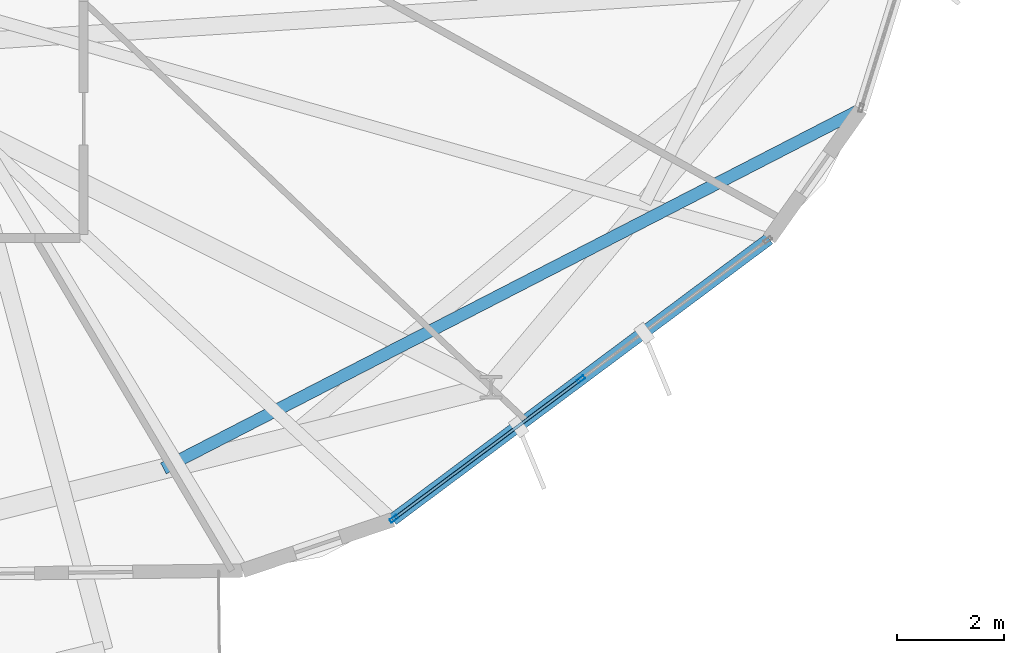
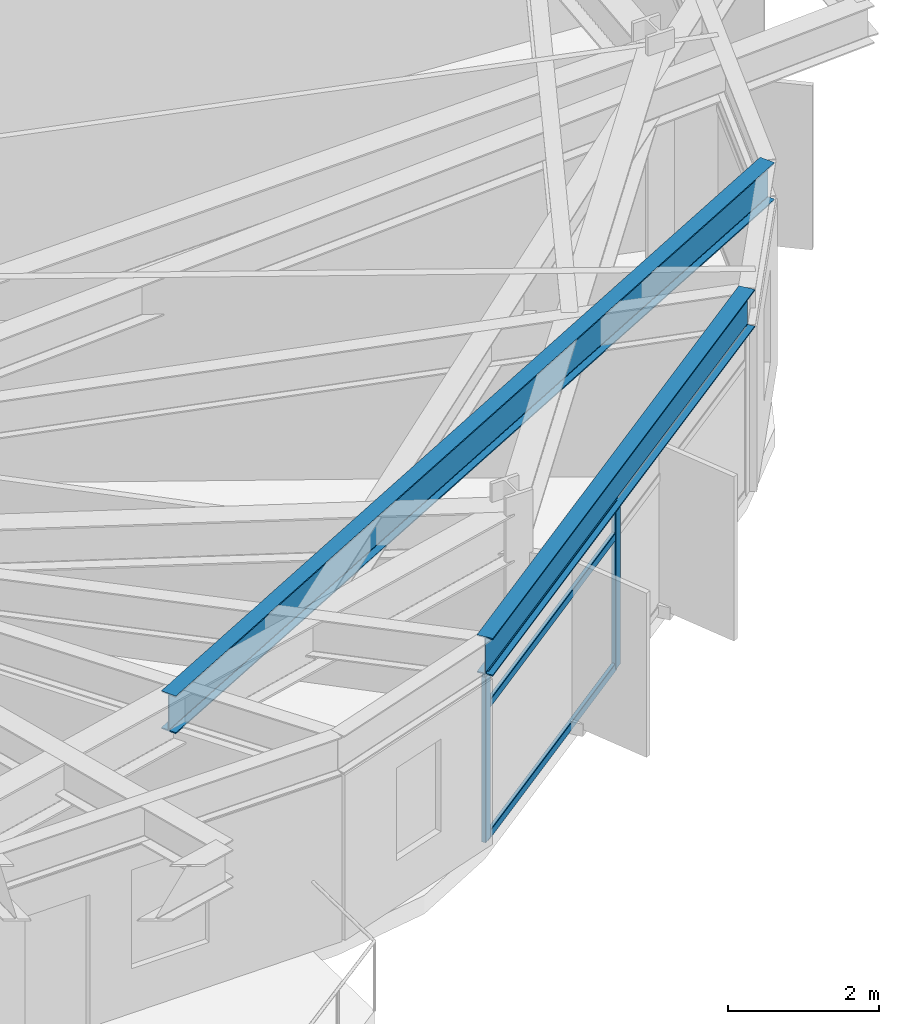
# One storey, part 5 of 27: 5 members, 2 beams, 1 element without a shape of its own.
"""IFC4 building model written with IfcOpenShell, lengths in metres."""

from ifc_helpers import new_model, si_unit, direction, frame, origin, origin_2d, place, context, subcontext, project, spatial, hollow_rectangle, i_section, extrude, material, layer, layer_set, material_profile, profile_set, type_object, element, aggregate, save


model = new_model("IFC4")

# Units and contexts
model_context = context("Model", 3, precision=1e-05, world=origin(), true_north=direction((0.0, 1.0)))
body_context = subcontext(model_context, "Body", "Model", "MODEL_VIEW")
ifc_project = project(units=[si_unit("LENGTHUNIT", "METRE"), si_unit("AREAUNIT", "SQUARE_METRE"), si_unit("VOLUMEUNIT", "CUBIC_METRE"), si_unit("PLANEANGLEUNIT", "RADIAN"), si_unit("MASSUNIT", "GRAM", prefix="KILO")], contexts=[model_context])

# Site, building, storey
site_placement = place(None, origin())
site = spatial("IfcSite", under=ifc_project, at=site_placement, CompositionType="ELEMENT")
building_placement = place(site_placement, origin())
building = spatial("IfcBuilding", under=site, at=building_placement, Name="Soratama Intermodal Tower", CompositionType="ELEMENT")
storey_placement = place(building_placement, frame((0.0, 0.0, 167.800048828125)))
storey = spatial("IfcBuildingStorey", under=building, at=storey_placement, Name="L41", CompositionType="ELEMENT", Elevation=167.800048828125)

# Beams
ifc_material_1 = material(Name="Structural steel ASTM A992 Grade 50", Category="steel")
ifc_material_profile_1 = material_profile(ifc_material_1, i_section(OverallWidth=0.22900390625, OverallDepth=0.612060546875, WebThickness=0.011962890625, FlangeThickness=0.01953125, FilletRadius=0.012939453125, at=origin_2d()), Name="W24X84")
ifc_profile_set_1 = profile_set([ifc_material_profile_1], Name="Structural steel ASTM A992 Grade 50")
beam_type_1 = type_object("IfcBeamType", Name="BM-SPN-W24X84", PredefinedType="SPANDREL", material=ifc_profile_set_1)
beam_1_placement = place(storey_placement, frame((52.43505859375, 7.679931640625, 2.993896484375), z_axis=(0.801623189577, 0.597829626175, 0.0), x_axis=(-0.597829626175, 0.801623189577, 0.0)))
element("IfcBeam", 1, at=beam_1_placement, inside=storey, type_object=beam_type_1, Name="BS-L41-F08", PredefinedType="SPANDREL", context=body_context, shape_type="SweptSolid", body=[
    extrude(i_section(OverallWidth=0.22900390625, OverallDepth=0.612060546875, WebThickness=0.011962890625, FlangeThickness=0.01953125, FilletRadius=0.012939453125, at=origin_2d()), origin(), (0.0, 0.0, 1.0), 8.7919921875),
])
ifc_material_2 = material(Name="Structural steel ASTM A992 Grade 50", Category="steel")
ifc_material_profile_2 = material_profile(ifc_material_2, i_section(OverallWidth=0.22900390625, OverallDepth=0.612060546875, WebThickness=0.011962890625, FlangeThickness=0.01953125, FilletRadius=0.012939453125, at=origin_2d()), Name="W24X84")
ifc_profile_set_2 = profile_set([ifc_material_profile_2], Name="Structural steel ASTM A992 Grade 50")
beam_type_2 = type_object("IfcBeamType", Name="BM-TIE-W24X84", PredefinedType="BEAM", material=ifc_profile_set_2)
beam_2_placement = place(storey_placement, frame((48.14306640625, 8.639892578125, 2.993896484375), z_axis=(0.889147652435, 0.45762042368, 0.0), x_axis=(-0.45762042368, 0.889147652435, 0.0)))
element("IfcBeam", 2, at=beam_2_placement, inside=storey, type_object=beam_type_2, Name="BM-L41-TIE0-09", PredefinedType="BEAM", context=body_context, shape_type="SweptSolid", body=[
    extrude(i_section(OverallWidth=0.22900390625, OverallDepth=0.612060546875, WebThickness=0.011962890625, FlangeThickness=0.01953125, FilletRadius=0.012939453125, at=origin_2d()), origin(), (0.0, 0.0, 1.0), 14.680419921875),
])

# Curtain wall, members
ifc_material_3 = material(Name="Double-glazed aluminium curtain wall", Category="aluminium")
ifc_layer = layer(ifc_material_3, 0.159912109375)
ifc_layer_set = layer_set([ifc_layer], Name="Double-glazed aluminium curtain wall")
curtain_wall_type = type_object("IfcCurtainWallType", Name="CW-SYS-4", PredefinedType="NOTDEFINED", material=ifc_layer_set)
curtain_wall_placement = place(storey_placement, origin())
curtain_wall = element("IfcCurtainWall", 3, at=curtain_wall_placement, inside=storey, type_object=curtain_wall_type, Name="L41 Faceted Curtain Wall F08", PredefinedType="NOTDEFINED")
ifc_material_4 = material(Name="Anodised aluminium AA 6063-T6", Category="aluminium")
ifc_material_profile_3 = material_profile(ifc_material_4, hollow_rectangle(XDim=0.070068359375, YDim=0.159912109375, WallThickness=0.0048828125, InnerFilletRadius=0.0048828125, OuterFilletRadius=0.010009765625, at=origin_2d()), Name="CWM160X70X5")
ifc_profile_set_3 = profile_set([ifc_material_profile_3], Name="Anodised aluminium AA 6063-T6")
member_type_1 = type_object("IfcMemberType", Name="MT-CWM-4", PredefinedType="MULLION", material=ifc_profile_set_3)
member_1_placement = place(storey_placement, frame((52.45947265625, 7.69775390625, 0.0), z_axis=(0.0, 0.0, 1.0), x_axis=(-0.59790688007, 0.801565569848, 0.0)))
member_1 = element("IfcMember", 4, at=member_1_placement, type_object=member_type_1, Name="CW-4 mullion 1", PredefinedType="MULLION", context=body_context, shape_type="SweptSolid", body=[
    extrude(hollow_rectangle(XDim=0.070068359375, YDim=0.159912109375, WallThickness=0.0048828125, InnerFilletRadius=0.0048828125, OuterFilletRadius=0.010009765625, at=origin_2d()), origin(), (0.0, 0.0, 1.0), 2.678955078125),
])
member_2_placement = place(storey_placement, frame((55.958984375, 10.30810546875, 0.0), z_axis=(0.0, 0.0, 1.0), x_axis=(-0.59790688007, 0.801565569848, 0.0)))
member_2 = element("IfcMember", 5, at=member_2_placement, type_object=member_type_1, Name="CW-4 mullion 2", PredefinedType="MULLION", context=body_context, shape_type="SweptSolid", body=[
    extrude(hollow_rectangle(XDim=0.070068359375, YDim=0.159912109375, WallThickness=0.0048828125, InnerFilletRadius=0.0048828125, OuterFilletRadius=0.010009765625, at=origin_2d()), origin(), (0.0, 0.0, 1.0), 2.678955078125),
])
ifc_material_5 = material(Name="Anodised aluminium AA 6063-T6", Category="aluminium")
ifc_material_profile_4 = material_profile(ifc_material_5, hollow_rectangle(XDim=0.06005859375, YDim=0.1298828125, WallThickness=0.0048828125, InnerFilletRadius=0.0048828125, OuterFilletRadius=0.010009765625, at=origin_2d()), Name="CWT130X60X5")
ifc_profile_set_4 = profile_set([ifc_material_profile_4], Name="Anodised aluminium AA 6063-T6")
member_type_2 = type_object("IfcMemberType", Name="TT-CWT-2", PredefinedType="USERDEFINED", material=ifc_profile_set_4)
member_3_placement = place(storey_placement, frame((52.483642578125, 7.715576171875, 0.030029296875), z_axis=(0.801568981312, 0.597902306567, 0.0), x_axis=(-0.597902306567, 0.801568981312, 0.0)))
member_3 = element("IfcMember", 6, at=member_3_placement, type_object=member_type_2, Name="CW-4 transom 1.1", ObjectType="TRANSOM", PredefinedType="USERDEFINED", context=body_context, shape_type="SweptSolid", body=[
    extrude(hollow_rectangle(XDim=0.06005859375, YDim=0.1298828125, WallThickness=0.0048828125, InnerFilletRadius=0.0048828125, OuterFilletRadius=0.010009765625, at=origin_2d()), origin(), (0.0, 0.0, 1.0), 4.305908203125),
])
member_4_placement = place(storey_placement, frame((52.483642578125, 7.715576171875, 2.14990234375), z_axis=(0.801568981312, 0.597902306567, 0.0), x_axis=(-0.597902306567, 0.801568981312, 0.0)))
member_4 = element("IfcMember", 7, at=member_4_placement, type_object=member_type_2, Name="CW-4 transom 1.2", ObjectType="TRANSOM", PredefinedType="USERDEFINED", context=body_context, shape_type="SweptSolid", body=[
    extrude(hollow_rectangle(XDim=0.06005859375, YDim=0.1298828125, WallThickness=0.0048828125, InnerFilletRadius=0.0048828125, OuterFilletRadius=0.010009765625, at=origin_2d()), origin(), (0.0, 0.0, 1.0), 4.305908203125),
])
member_5_placement = place(storey_placement, frame((52.483642578125, 7.715576171875, 2.64892578125), z_axis=(0.801568981312, 0.597902306567, 0.0), x_axis=(-0.597902306567, 0.801568981312, 0.0)))
member_5 = element("IfcMember", 8, at=member_5_placement, type_object=member_type_2, Name="CW-4 transom 1.3", ObjectType="TRANSOM", PredefinedType="USERDEFINED", context=body_context, shape_type="SweptSolid", body=[
    extrude(hollow_rectangle(XDim=0.06005859375, YDim=0.1298828125, WallThickness=0.0048828125, InnerFilletRadius=0.0048828125, OuterFilletRadius=0.010009765625, at=origin_2d()), origin(), (0.0, 0.0, 1.0), 4.305908203125),
])
aggregate(curtain_wall, [member_1, member_2, member_3, member_4, member_5])

save(model, "model.ifc")
